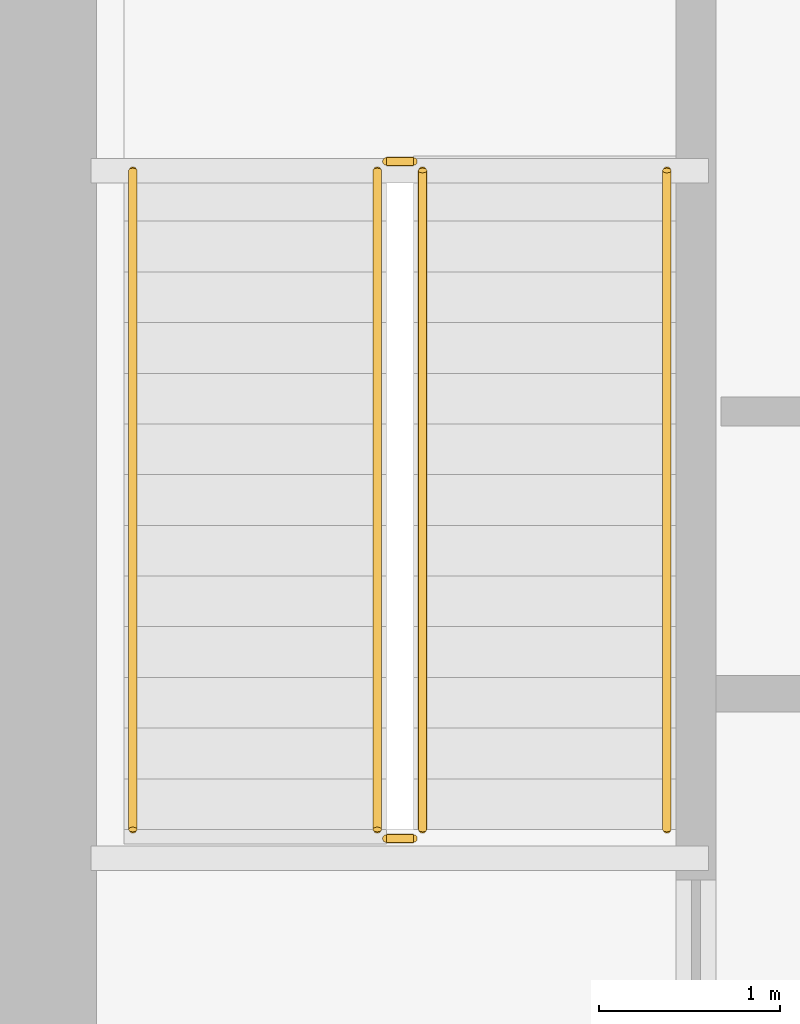
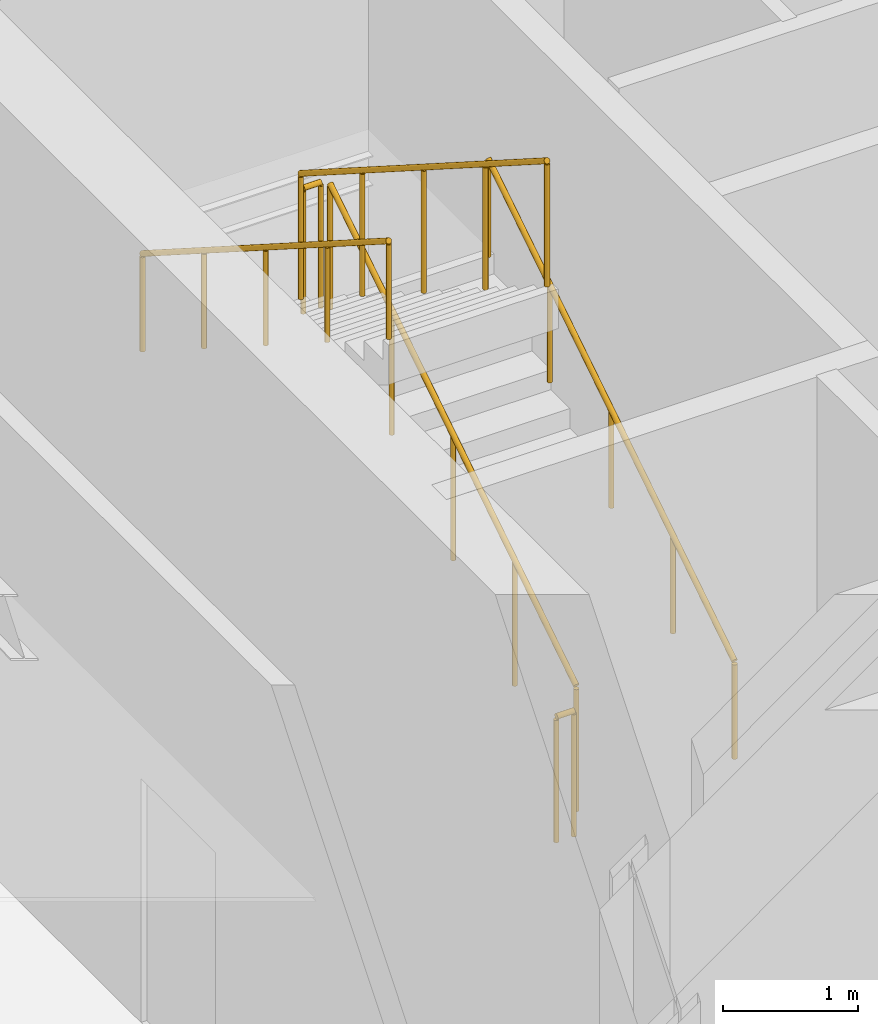
# One storey, part 13 of 16: 6 railings.
"""IFC4 building model written with IfcOpenShell, lengths in metres."""

import ifcopenshell
import ifcopenshell.guid

model = None  # the IFC model being written
_history = None  # IfcOwnerHistory: only IFC2X3 demands one
_inside = {}  # id of a spatial element -> (the spatial element, [elements in it])
_under = {}  # id of a project, library or spatial element -> (it, [spatial elements below it])
_declared = {}  # id of a project -> (the project, [libraries it declares])
_typed = {}  # id of a type object -> (the type object, [elements of that type])
_made_of = {}  # id of a material, layer set ... -> (it, [elements and type objects made of it])


def new_model(schema):
    """Start an empty IFC model of exactly this schema.

    Asked for "IFC4X3", IfcOpenShell would pick the latest addendum, in which some entities
    have other attributes; the version numbers below select the first issue.
    IFC2X3 requires an IfcOwnerHistory on every rooted entity: one is made here for all.
    """
    global model, _history
    if schema == "IFC4X3":
        model = ifcopenshell.file(schema_version=(4, 3, 0, 0))
    else:
        model = ifcopenshell.file(schema=schema)
    _inside.clear()
    _under.clear()
    _declared.clear()
    _typed.clear()
    _made_of.clear()
    _history = None
    if model.schema == "IFC2X3":
        org = make("IfcOrganization", Name="unknown")
        user = make(
            "IfcPersonAndOrganization",
            ThePerson=make("IfcPerson", FamilyName="unknown"),
            TheOrganization=org,
        )
        app = make(
            "IfcApplication",
            ApplicationDeveloper=org,
            Version="unknown",
            ApplicationFullName="unknown",
            ApplicationIdentifier="unknown",
        )
        _history = make(
            "IfcOwnerHistory",
            OwningUser=user,
            OwningApplication=app,
            ChangeAction="ADDED",
            CreationDate=0,
        )
    return model


def make(cls, **values):
    """One entity of the class cls with the attributes given. An attribute that is None is left unset."""
    return model.create_entity(
        cls, **{name: value for name, value in values.items() if value is not None}
    )


def rooted(cls, **values):
    """An entity with a GlobalId (a new one), such as an element, a storey or a relation."""
    return make(cls, GlobalId=ifcopenshell.guid.new(), OwnerHistory=_history, **values)


def si_unit(unit_type, name, prefix=None):
    """IfcSIUnit, for example si_unit("LENGTHUNIT", "METRE", prefix="MILLI")."""
    return make("IfcSIUnit", UnitType=unit_type, Prefix=prefix, Name=name)


def assignment(units):
    """IfcUnitAssignment: the units of a project."""
    return None if units is None else make("IfcUnitAssignment", Units=units)


def point(xyz):
    """IfcCartesianPoint."""
    return None if xyz is None else make("IfcCartesianPoint", Coordinates=xyz)


def direction(xyz):
    """IfcDirection."""
    return None if xyz is None else make("IfcDirection", DirectionRatios=xyz)


def frame(location, z_axis=None, x_axis=None):
    """IfcAxis2Placement3D, a coordinate frame: its origin and axes. An axis left out is left unset."""
    return make(
        "IfcAxis2Placement3D",
        Location=point(location),
        Axis=direction(z_axis),
        RefDirection=direction(x_axis),
    )


def frame_2d(location, x_axis=None):
    """IfcAxis2Placement2D, a coordinate frame in the plane: its origin and x axis."""
    return make(
        "IfcAxis2Placement2D", Location=point(location), RefDirection=direction(x_axis)
    )


def origin():
    """The frame at (0, 0, 0) with its axes left unset."""
    return frame((0.0, 0.0, 0.0))


def origin_2d():
    """The frame at (0, 0) in the plane with its x axis left unset."""
    return frame_2d((0.0, 0.0))


def place(relative_to, where):
    """IfcLocalPlacement: puts the frame where relative to a parent placement (None: the world)."""
    return make(
        "IfcLocalPlacement", PlacementRelTo=relative_to, RelativePlacement=where
    )


def context(
    kind, dimensions, precision=None, world=None, true_north=None, identifier=None
):
    """IfcGeometricRepresentationContext, for example the 3D "Model" context."""
    return make(
        "IfcGeometricRepresentationContext",
        ContextIdentifier=identifier,
        ContextType=kind,
        CoordinateSpaceDimension=dimensions,
        Precision=precision,
        WorldCoordinateSystem=world,
        TrueNorth=true_north,
    )


def subcontext(parent, identifier, kind, view, scale=None):
    """IfcGeometricRepresentationSubContext, for example "Body" below "Model"."""
    return make(
        "IfcGeometricRepresentationSubContext",
        ContextIdentifier=identifier,
        ContextType=kind,
        ParentContext=parent,
        TargetScale=scale,
        TargetView=view,
    )


def project(units=None, contexts=None):
    """IfcProject with its units and contexts."""
    return rooted(
        "IfcProject",
        Name="project",
        RepresentationContexts=contexts,
        UnitsInContext=assignment(units),
    )


def spatial(cls, under=None, at=None, **own):
    """A site, building, storey or space (cls), placed at a placement, below another one or the project."""
    s = rooted(cls, ObjectPlacement=at, **own)
    if under is not None:
        _under.setdefault(under.id(), (under, []))[1].append(s)
    return s


def profile(cls, at=None, kind="AREA", **sizes):
    """A parametric profile (cls). Its sizes go by their IFC names, for example OverallWidth=200.0."""
    return make(cls, ProfileType=kind, Position=at, **sizes)


def circle(**sizes):
    """IfcCircleProfileDef."""
    return profile("IfcCircleProfileDef", **sizes)


def extrude(swept, where, along, depth):
    """IfcExtrudedAreaSolid: the profile swept, set in the frame where, extruded along a direction by depth."""
    return make(
        "IfcExtrudedAreaSolid",
        SweptArea=swept,
        Position=where,
        ExtrudedDirection=direction(along),
        Depth=depth,
    )


def shape(context_of_items, identifier, shape_type, items):
    """IfcShapeRepresentation: the items that make up one representation, for example the "Body"."""
    return make(
        "IfcShapeRepresentation",
        ContextOfItems=context_of_items,
        RepresentationIdentifier=identifier,
        RepresentationType=shape_type,
        Items=items,
    )


def material(Name=None, Category=None):
    """IfcMaterial."""
    return make("IfcMaterial", Name=Name, Category=Category)


def made_of(thing, what):
    """Note that an element or type object is made of a material, layer set ...; save() writes the relation."""
    if what is not None:
        _made_of.setdefault(what.id(), (what, []))[1].append(thing)
    return thing


def type_object(cls, material=None, **own):
    """A type object (cls), such as IfcWallType, which elements share."""
    return made_of(rooted(cls, **own), material)


def element(
    cls,
    number,
    at=None,
    inside=None,
    cuts=None,
    type_object=None,
    material=None,
    context=None,
    identifier="Body",
    shape_type=None,
    held_by="IfcProductDefinitionShape",
    body=None,
    shapes=None,
    **own,
):
    """One element of the class cls, such as IfcWall. Its Tag is "e" and its number.

    at: its placement. inside: the storey or other place that contains it. cuts: it is an
    opening in that element (IfcRelVoidsElement). A single representation is given by context,
    identifier, shape_type and body (its items); several are given by shapes. held_by: the class
    of the entity that holds the representations. save() writes the other relations.
    """
    e = rooted(cls, Tag="e%d" % number, ObjectPlacement=at, **own)
    if body is not None:
        shapes = [shape(context, identifier, shape_type, body)]
    if shapes is not None:
        e.Representation = make(held_by, Representations=shapes)
    if inside is not None:
        _inside.setdefault(inside.id(), (inside, []))[1].append(e)
    if cuts is not None:
        rooted(
            "IfcRelVoidsElement", RelatingBuildingElement=cuts, RelatedOpeningElement=e
        )
    if type_object is not None:
        _typed.setdefault(type_object.id(), (type_object, []))[1].append(e)
    return made_of(e, material)


def aggregate(whole, parts):
    """IfcRelAggregates: a whole, such as a stair, and the parts it consists of."""
    return rooted("IfcRelAggregates", RelatingObject=whole, RelatedObjects=parts)


def save(model, path):
    """Write the relations noted so far, then the file.

    IfcRelAggregates (storeys below a building ...), IfcRelContainedInSpatialStructure (elements
    in a storey), IfcRelDefinesByType, IfcRelAssociatesMaterial and IfcRelDeclares: one each for
    every whole, place, type object, material and project.
    """
    for whole, parts in _under.values():
        aggregate(whole, parts)
    for where, things in _inside.values():
        rooted(
            "IfcRelContainedInSpatialStructure",
            RelatedElements=things,
            RelatingStructure=where,
        )
    for kind, things in _typed.values():
        rooted("IfcRelDefinesByType", RelatedObjects=things, RelatingType=kind)
    for what, things in _made_of.values():
        rooted("IfcRelAssociatesMaterial", RelatedObjects=things, RelatingMaterial=what)
    for by, libraries in _declared.values():
        rooted("IfcRelDeclares", RelatingContext=by, RelatedDefinitions=libraries)
    model.write(path)


model = new_model("IFC4")

# Units and contexts
model_context = context("Model", 3, precision=1e-05, world=origin(), true_north=direction((0.0, 1.0)))
body_context = subcontext(model_context, "Body", "Model", "MODEL_VIEW")
ifc_project = project(units=[si_unit("LENGTHUNIT", "METRE"), si_unit("AREAUNIT", "SQUARE_METRE"), si_unit("VOLUMEUNIT", "CUBIC_METRE"), si_unit("PLANEANGLEUNIT", "RADIAN"), si_unit("MASSUNIT", "GRAM", prefix="KILO")], contexts=[model_context])

# Site, building, storey
site_placement = place(None, origin())
site = spatial("IfcSite", under=ifc_project, at=site_placement, CompositionType="ELEMENT")
building_placement = place(site_placement, origin())
building = spatial("IfcBuilding", under=site, at=building_placement, Name="Kranzbogen Civic Tower", CompositionType="ELEMENT")
storey_placement = place(building_placement, frame((0.0, 0.0, 97.39990234375)))
storey = spatial("IfcBuildingStorey", under=building, at=storey_placement, Name="L23", CompositionType="ELEMENT", Elevation=97.39990234375)

# Railings
ifc_material_1 = material(Name="Steel S355", Category="steel")
railing_type_1 = type_object("IfcRailingType", Name="Internal Stair and Void Steel Guardrail 1150", PredefinedType="GUARDRAIL", material=ifc_material_1)
railing_1_placement = place(storey_placement, frame((19.300048828125, 22.60009765625, 0.1787109375)))
element("IfcRailing", 1, at=railing_1_placement, inside=storey, type_object=railing_type_1, Name="L23 ST-T1 stair guard 1", PredefinedType="GUARDRAIL", context=body_context, shape_type="SweptSolid", body=[
    extrude(circle(Radius=0.02392578125, at=origin_2d()), frame((0.0, 0.0, 1.1259765625), z_axis=(0.0, 0.843137146238, 0.537698570422), x_axis=(-1.0, 0.0, 0.0)), (0.0, 0.0, 1.0), 4.317138671875),
    extrude(circle(Radius=0.02099609375, at=origin_2d()), origin(), (0.0, 0.0, 1.0), 1.101806640625),
    extrude(circle(Radius=0.02099609375, at=origin_2d()), frame((0.0, 0.909912109375, 0.580322265625)), (0.0, 0.0, 1.0), 1.101806640625),
    extrude(circle(Radius=0.02099609375, at=origin_2d()), frame((0.0, 1.81982421875, 1.16064453125)), (0.0, 0.0, 1.0), 1.101806640625),
    extrude(circle(Radius=0.02099609375, at=origin_2d()), frame((0.0, 2.72998046875, 1.740966796875)), (0.0, 0.0, 1.0), 1.101806640625),
    extrude(circle(Radius=0.02099609375, at=origin_2d()), frame((0.0, 3.639892578125, 2.3212890625)), (0.0, 0.0, 1.0), 1.101806640625),
])
railing_2_placement = place(storey_placement, frame((19.25, 26.2900390625, 2.5)))
element("IfcRailing", 2, at=railing_2_placement, inside=storey, type_object=railing_type_1, Name="L23 ST-T1 stair guard 2", PredefinedType="GUARDRAIL", context=body_context, shape_type="SweptSolid", body=[
    extrude(circle(Radius=0.02392578125, at=origin_2d()), frame((0.0, 0.0, 1.1259765625), z_axis=(-1.0, 0.0, 0.0), x_axis=(0.0, -1.0, 0.0)), (0.0, 0.0, 1.0), 0.14990234375),
    extrude(circle(Radius=0.02099609375, at=origin_2d()), origin(), (0.0, 0.0, 1.0), 1.101806640625),
    extrude(circle(Radius=0.02099609375, at=origin_2d()), frame((-0.14990234375, 0.0, 0.0)), (0.0, 0.0, 1.0), 1.101806640625),
])
railing_3_placement = place(storey_placement, frame((19.050048828125, 26.239990234375, 2.6787109375)))
element("IfcRailing", 3, at=railing_3_placement, inside=storey, type_object=railing_type_1, Name="L23 ST-T1 stair guard 3", PredefinedType="GUARDRAIL", context=body_context, shape_type="SweptSolid", body=[
    extrude(circle(Radius=0.02392578125, at=origin_2d()), frame((0.0, 0.0, 1.1259765625), z_axis=(0.0, -0.843137146238, 0.537698570422), x_axis=(1.0, 0.0, 0.0)), (0.0, 0.0, 1.0), 4.317138671875),
    extrude(circle(Radius=0.02099609375, at=origin_2d()), origin(), (0.0, 0.0, 1.0), 1.101806640625),
    extrude(circle(Radius=0.02099609375, at=origin_2d()), frame((0.0, -0.909912109375, 0.580322265625)), (0.0, 0.0, 1.0), 1.101806640625),
    extrude(circle(Radius=0.02099609375, at=origin_2d()), frame((0.0, -1.81982421875, 1.16064453125)), (0.0, 0.0, 1.0), 1.101806640625),
    extrude(circle(Radius=0.02099609375, at=origin_2d()), frame((0.0, -2.72998046875, 1.740966796875)), (0.0, 0.0, 1.0), 1.101806640625),
    extrude(circle(Radius=0.02099609375, at=origin_2d()), frame((0.0, -3.639892578125, 2.3212890625)), (0.0, 0.0, 1.0), 1.101806640625),
])
railing_4_placement = place(storey_placement, frame((19.25, 22.550048828125, 0.0)))
element("IfcRailing", 4, at=railing_4_placement, inside=storey, type_object=railing_type_1, Name="L23 ST-T1 stair guard 4", PredefinedType="GUARDRAIL", context=body_context, shape_type="SweptSolid", body=[
    extrude(circle(Radius=0.02392578125, at=origin_2d()), frame((0.0, 0.0, 1.1259765625), z_axis=(-1.0, 0.0, 0.0), x_axis=(0.0, -1.0, 0.0)), (0.0, 0.0, 1.0), 0.14990234375),
    extrude(circle(Radius=0.02099609375, at=origin_2d()), origin(), (0.0, 0.0, 1.0), 1.101806640625),
    extrude(circle(Radius=0.02099609375, at=origin_2d()), frame((-0.14990234375, 0.0, 0.0)), (0.0, 0.0, 1.0), 1.101806640625),
])
ifc_material_2 = material(Name="Pale Anodised Aluminium", Category="aluminium")
railing_type_2 = type_object("IfcRailingType", Name="Tubular Stainless Stair Wall Handrail 900", PredefinedType="HANDRAIL", material=ifc_material_2)
railing_5_placement = place(storey_placement, frame((20.64990234375, 22.60009765625, 0.1787109375)))
element("IfcRailing", 5, at=railing_5_placement, inside=storey, type_object=railing_type_2, Name="L23 ST-T1 stair handrail 1", PredefinedType="HANDRAIL", context=body_context, shape_type="SweptSolid", body=[
    extrude(circle(Radius=0.02392578125, at=origin_2d()), frame((0.0, 0.0, 0.8759765625), z_axis=(0.0, 0.843137146238, 0.537698570422), x_axis=(-1.0, 0.0, 0.0)), (0.0, 0.0, 1.0), 4.317138671875),
    extrude(circle(Radius=0.02099609375, at=origin_2d()), origin(), (0.0, 0.0, 1.0), 0.851806640625),
    extrude(circle(Radius=0.02099609375, at=origin_2d()), frame((0.0, 0.909912109375, 0.580322265625)), (0.0, 0.0, 1.0), 0.851806640625),
    extrude(circle(Radius=0.02099609375, at=origin_2d()), frame((0.0, 1.81982421875, 1.16064453125)), (0.0, 0.0, 1.0), 0.851806640625),
    extrude(circle(Radius=0.02099609375, at=origin_2d()), frame((0.0, 2.72998046875, 1.740966796875)), (0.0, 0.0, 1.0), 0.851806640625),
    extrude(circle(Radius=0.02099609375, at=origin_2d()), frame((0.0, 3.639892578125, 2.3212890625)), (0.0, 0.0, 1.0), 0.851806640625),
])
railing_6_placement = place(storey_placement, frame((17.699951171875, 26.239990234375, 2.6787109375)))
element("IfcRailing", 6, at=railing_6_placement, inside=storey, type_object=railing_type_2, Name="L23 ST-T1 stair handrail 2", PredefinedType="HANDRAIL", context=body_context, shape_type="SweptSolid", body=[
    extrude(circle(Radius=0.02392578125, at=origin_2d()), frame((0.0, 0.0, 0.8759765625), z_axis=(0.0, -0.843137146238, 0.537698570422), x_axis=(1.0, 0.0, 0.0)), (0.0, 0.0, 1.0), 4.317138671875),
    extrude(circle(Radius=0.02099609375, at=origin_2d()), origin(), (0.0, 0.0, 1.0), 0.851806640625),
    extrude(circle(Radius=0.02099609375, at=origin_2d()), frame((0.0, -0.909912109375, 0.580322265625)), (0.0, 0.0, 1.0), 0.851806640625),
    extrude(circle(Radius=0.02099609375, at=origin_2d()), frame((0.0, -1.81982421875, 1.16064453125)), (0.0, 0.0, 1.0), 0.851806640625),
    extrude(circle(Radius=0.02099609375, at=origin_2d()), frame((0.0, -2.72998046875, 1.740966796875)), (0.0, 0.0, 1.0), 0.851806640625),
    extrude(circle(Radius=0.02099609375, at=origin_2d()), frame((0.0, -3.639892578125, 2.3212890625)), (0.0, 0.0, 1.0), 0.851806640625),
])

save(model, "model.ifc")
